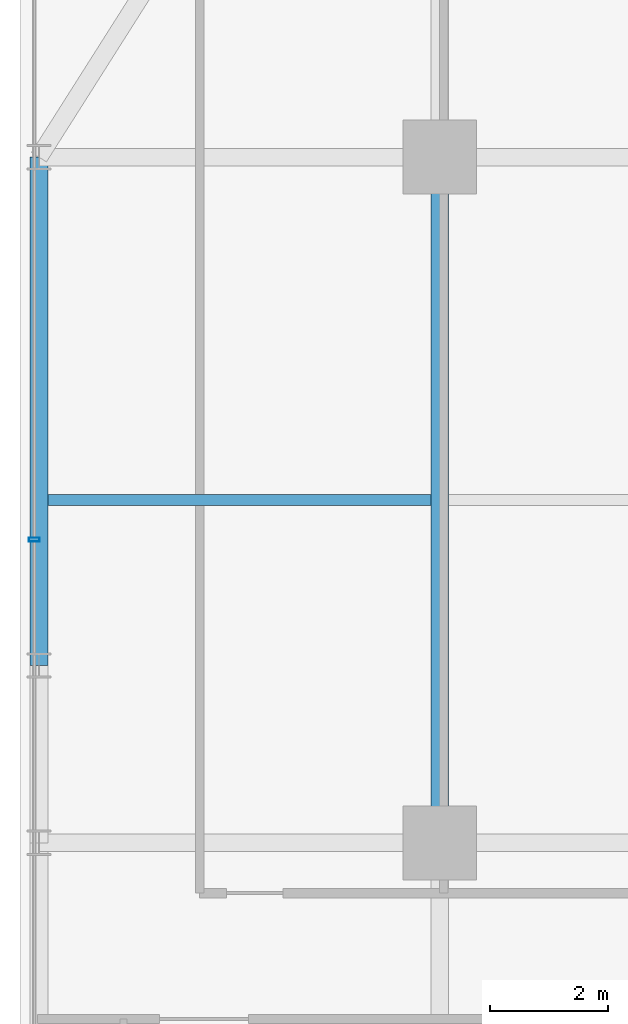
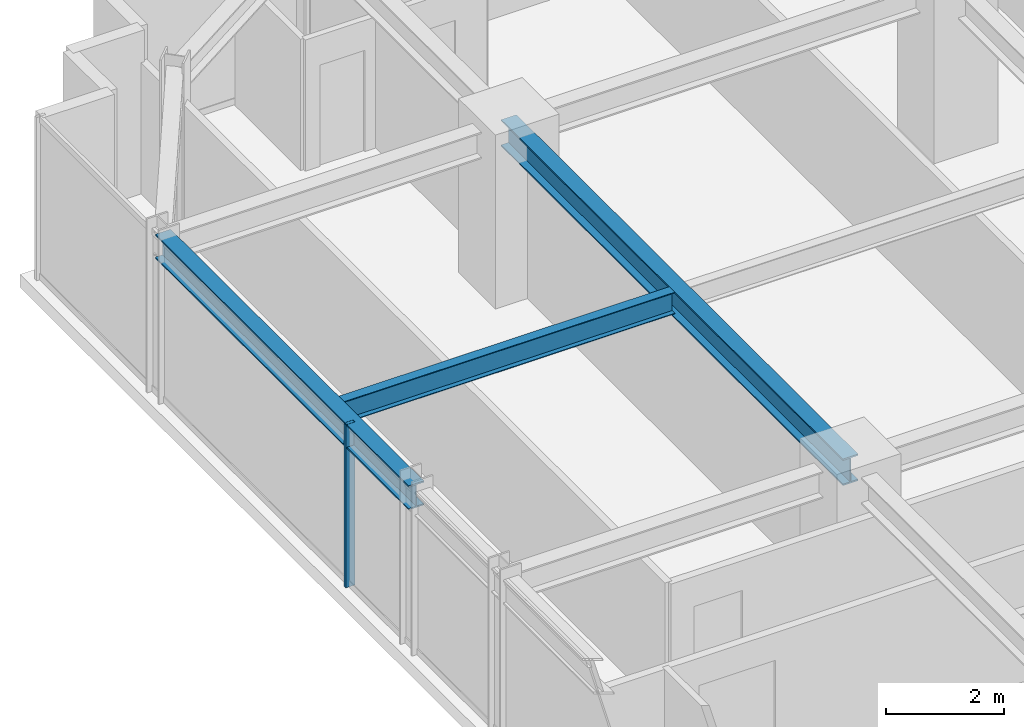
# One storey, part 16 of 34: 3 beams, 1 member, 1 element without a shape of its own.
"""IFC4 building model written with IfcOpenShell, lengths in metres."""

from ifc_helpers import new_model, si_unit, direction, frame, origin, origin_2d, place, context, subcontext, project, spatial, hollow_rectangle, i_section, extrude, source, transform, mapped, material, material_profile, profile_set, type_object, element, aggregate, save


model = new_model("IFC4")

# Units and contexts
model_context = context("Model", 3, precision=1e-05, world=origin(), true_north=direction((0.0, 1.0)))
body_context = subcontext(model_context, "Body", "Model", "MODEL_VIEW")
ifc_project = project(units=[si_unit("LENGTHUNIT", "METRE"), si_unit("AREAUNIT", "SQUARE_METRE"), si_unit("VOLUMEUNIT", "CUBIC_METRE"), si_unit("PLANEANGLEUNIT", "RADIAN"), si_unit("MASSUNIT", "GRAM", prefix="KILO")], contexts=[model_context])

# Site, building, storey
site_placement = place(None, origin())
site = spatial("IfcSite", under=ifc_project, at=site_placement, CompositionType="ELEMENT")
building_placement = place(site_placement, origin())
building = spatial("IfcBuilding", under=site, at=building_placement, Name="Nahalor Promenade Grand Hotel", CompositionType="ELEMENT")
storey_placement = place(building_placement, frame((0.0, 0.0, 99.25)))
storey = spatial("IfcBuildingStorey", under=building, at=storey_placement, Name="L24", CompositionType="ELEMENT", Elevation=99.25)

# Beams
ifc_material_1 = material(Name="Steel S355JR", Category="steel")
ifc_material_profile_1 = material_profile(ifc_material_1, i_section(OverallWidth=0.3, OverallDepth=0.5, WebThickness=0.0145, FlangeThickness=0.028, at=origin_2d()), Name="HEB 500")
ifc_profile_set_1 = profile_set([ifc_material_profile_1], Name="Steel S355JR")
beam_type_1 = type_object("IfcBeamType", Name="Beam-Spandrel-HEB500", PredefinedType="SPANDREL", material=ifc_profile_set_1)
shared_shape_1 = source(origin(), body_context, "Body", "SweptSolid", [
    extrude(i_section(OverallWidth=0.3, OverallDepth=0.5, WebThickness=0.0145, FlangeThickness=0.028, at=origin_2d()), origin(), (0.0, 0.0, 1.0), 8.60009765625),
])
beam_1_placement = place(storey_placement, frame((-23.780029296875, 8.39990234375, 3.1298828125), z_axis=(0.0, 1.0, 0.0), x_axis=(-1.0, 0.0, 0.0)))
element("IfcBeam", 1, at=beam_1_placement, inside=storey, type_object=beam_type_1, Name="BM-L24-SP-W-4", PredefinedType="SPANDREL", context=body_context, shape_type="MappedRepresentation", body=[
    mapped(shared_shape_1, transform((0.0, 0.0, 0.0), scale=1.0)),
])
ifc_material_profile_2 = material_profile(ifc_material_1, i_section(OverallWidth=0.3, OverallDepth=0.55, WebThickness=0.015, FlangeThickness=0.029, at=origin_2d()), Name="HEB 550")
ifc_profile_set_2 = profile_set([ifc_material_profile_2], Name="Steel S355JR")
beam_type_2 = type_object("IfcBeamType", Name="Beam-Girder-HEB550", PredefinedType="BEAM", material=ifc_profile_set_2)
shared_shape_2 = source(origin(), body_context, "Body", "SweptSolid", [
    extrude(i_section(OverallWidth=0.3, OverallDepth=0.55, WebThickness=0.015, FlangeThickness=0.029, at=origin_2d()), origin(), (0.0, 0.0, 1.0), 11.60009765625),
])
beam_2_placement = place(storey_placement, frame((-17.0, 5.39990234375, 3.10498046875), z_axis=(0.0, 1.0, 0.0), x_axis=(-1.0, 0.0, 0.0)))
element("IfcBeam", 2, at=beam_2_placement, inside=storey, type_object=beam_type_2, Name="BM-L24-GY-0-3", PredefinedType="BEAM", context=body_context, shape_type="MappedRepresentation", body=[
    mapped(shared_shape_2, transform((0.0, 0.0, 0.0), scale=1.0)),
])
ifc_material_profile_3 = material_profile(ifc_material_1, i_section(OverallWidth=0.19, OverallDepth=0.45, WebThickness=0.0094, FlangeThickness=0.0146, at=origin_2d()), Name="IPE 450")
ifc_profile_set_3 = profile_set([ifc_material_profile_3], Name="Steel S355JR")
beam_type_3 = type_object("IfcBeamType", Name="Beam-Joist-IPE450", PredefinedType="JOIST", material=ifc_profile_set_3)
shared_shape_3 = source(origin(), body_context, "Body", "SweptSolid", [
    extrude(i_section(OverallWidth=0.19, OverallDepth=0.45, WebThickness=0.0094, FlangeThickness=0.0146, at=origin_2d()), origin(), (0.0, 0.0, 1.0), 6.47998046875),
])
beam_3_placement = place(storey_placement, frame((-23.6298828125, 11.199951171875, 3.155029296875), z_axis=(1.0, 0.0, 0.0), x_axis=(0.0, 1.0, 0.0)))
element("IfcBeam", 3, at=beam_3_placement, inside=storey, type_object=beam_type_3, Name="BM-L24-JSW-1-0", PredefinedType="JOIST", context=body_context, shape_type="MappedRepresentation", body=[
    mapped(shared_shape_3, transform((0.0, 0.0, 0.0), scale=1.0)),
])

# Curtain wall, member
ifc_material_2 = material(Name="Anodised Bronze Aluminium EN AW-6063 T6", Category="aluminium")
curtain_wall_type = type_object("IfcCurtainWallType", Name="CW2 Typical Hotel Flush Bronze Unitised Curtain Wall", PredefinedType="USERDEFINED", material=ifc_material_2)
curtain_wall_placement = place(storey_placement, origin())
curtain_wall = element("IfcCurtainWall", 4, at=curtain_wall_placement, inside=storey, type_object=curtain_wall_type, Name="L24 Curtain Wall CW-L24-W-1", ObjectType="UNITISED_CURTAIN_WALL", PredefinedType="USERDEFINED")
ifc_material_profile_4 = material_profile(ifc_material_2, hollow_rectangle(XDim=0.065, YDim=0.18, WallThickness=0.004, at=origin_2d()), Name="CWM 65x180x4")
ifc_profile_set_4 = profile_set([ifc_material_profile_4], Name="Anodised Bronze Aluminium EN AW-6063 T6")
member_type = type_object("IfcMemberType", Name="CWM2 Typical Bronze Mullion 65x180", PredefinedType="MULLION", material=ifc_profile_set_4)
shared_shape_4 = source(origin(), body_context, "Body", "SweptSolid", [
    extrude(hollow_rectangle(XDim=0.065, YDim=0.18, WallThickness=0.004, at=origin_2d()), origin(), (0.0, 0.0, 1.0), 3.3798828125),
])
member_placement = place(storey_placement, frame((-23.860107421875, 10.530029296875, 0.0), z_axis=(0.0, 0.0, 1.0), x_axis=(0.0, 1.0, 0.0)))
member = element("IfcMember", 5, at=member_placement, type_object=member_type, Name="CW-L24-W-1 Mullion 3", PredefinedType="MULLION", context=body_context, shape_type="MappedRepresentation", body=[
    mapped(shared_shape_4, transform((0.0, 0.0, 0.0), scale=1.0)),
])
aggregate(curtain_wall, [member])

save(model, "model.ifc")
